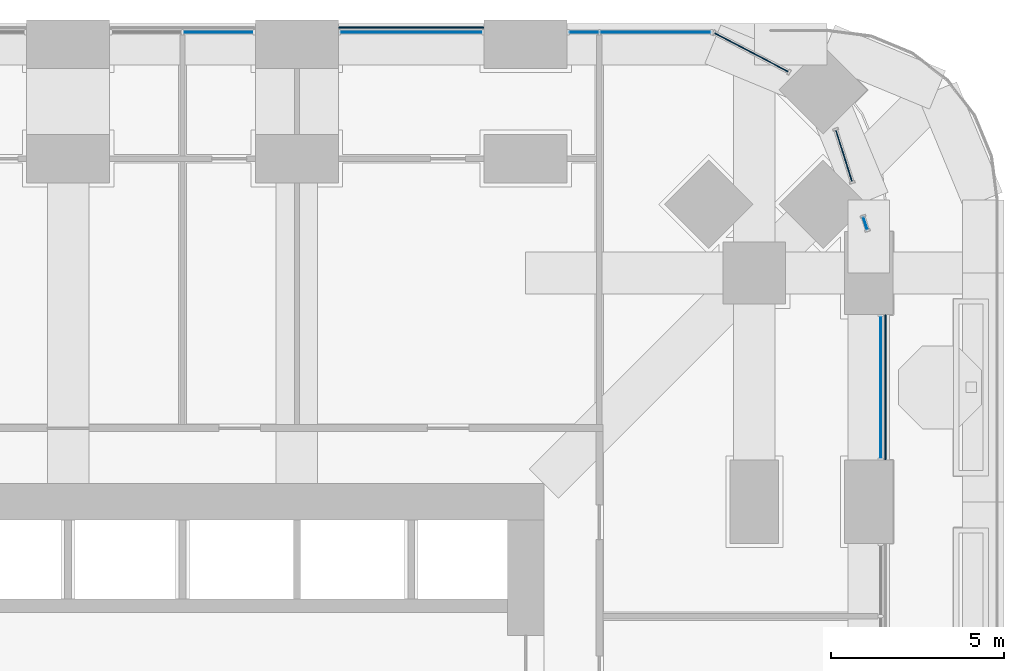
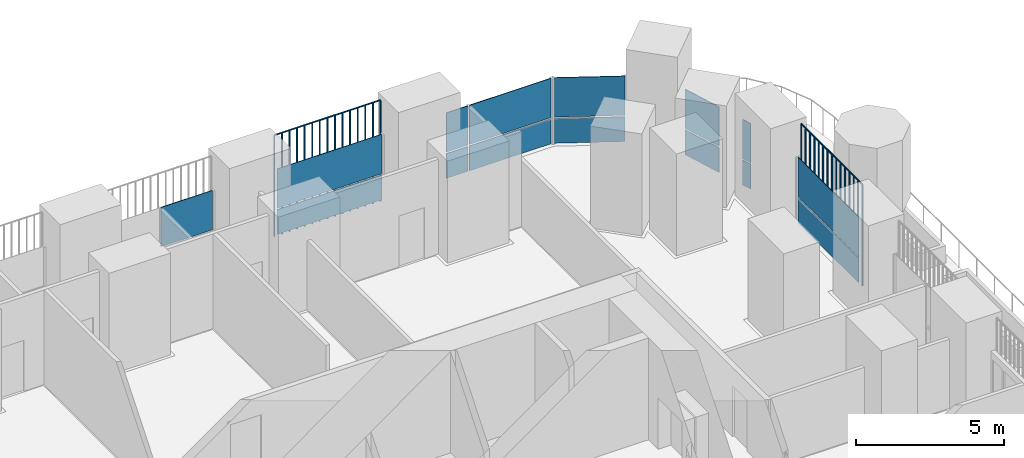
# One storey, part 16 of 27: 17 plates, 7 elements without a shape of their own.
"""IFC4 building model written with IfcOpenShell, lengths in metres."""

from ifc_helpers import new_model, si_unit, direction, frame, origin, origin_2d, place, context, subcontext, project, spatial, polyline, rectangle, outline, extrude, material, layer, layer_set, type_object, element, aggregate, save


model = new_model("IFC4")

# Units and contexts
model_context = context("Model", 3, precision=1e-05, world=origin(), true_north=direction((0.0, 1.0)))
body_context = subcontext(model_context, "Body", "Model", "MODEL_VIEW")
ifc_project = project(units=[si_unit("LENGTHUNIT", "METRE"), si_unit("AREAUNIT", "SQUARE_METRE"), si_unit("VOLUMEUNIT", "CUBIC_METRE"), si_unit("PLANEANGLEUNIT", "RADIAN"), si_unit("MASSUNIT", "GRAM", prefix="KILO")], contexts=[model_context])

# Site, building, storey
site_placement = place(None, origin())
site = spatial("IfcSite", under=ifc_project, at=site_placement, CompositionType="ELEMENT")
building_placement = place(site_placement, origin())
building = spatial("IfcBuilding", under=site, at=building_placement, Name="Cobogo Forest Laboratory Tower", CompositionType="ELEMENT")
storey_placement = place(building_placement, frame((0.0, 0.0, 82.199951171875)))
storey = spatial("IfcBuildingStorey", under=building, at=storey_placement, Name="L18", CompositionType="ELEMENT", Elevation=82.199951171875)

# Curtain wall, plates
ifc_material_1 = material(Name="Aluminium curtain wall", Category="aluminium")
curtain_wall_type = type_object("IfcCurtainWallType", Name="CW-1 unitised curtain wall, clear glazing, laboratory floors zones A and B", PredefinedType="USERDEFINED", material=ifc_material_1)
curtain_wall_1_placement = place(storey_placement, origin())
curtain_wall_1 = element("IfcCurtainWall", 1, at=curtain_wall_1_placement, inside=storey, type_object=curtain_wall_type, Name="Curtain wall 14 L18", ObjectType="UNITISED CURTAIN WALL", PredefinedType="USERDEFINED")
ifc_material_2 = material(Name="Clear insulated glass", Category="glass")
ifc_layer = layer(ifc_material_2, 0.028076171875)
ifc_layer_set = layer_set([ifc_layer], Name="GP-1 clear insulated glass unit 28")
plate_type_1 = type_object("IfcPlateType", Name="GP-1 clear insulated glass unit 28", PredefinedType="CURTAIN_PANEL", material=ifc_layer_set)
plate_1_placement = place(storey_placement, frame((49.85009765625, 36.300048828125, 0.0), z_axis=(0.0, 0.0, 1.0), x_axis=(0.0, 1.0, 0.0)))
plate_1 = element("IfcPlate", 2, at=plate_1_placement, type_object=plate_type_1, Name="CW-1 panel 1.1", PredefinedType="CURTAIN_PANEL", context=body_context, shape_type="SweptSolid", body=[
    extrude(rectangle(XDim=4.080078125, YDim=0.028076171875, at=origin_2d()), origin(), (0.0, 0.0, 1.0), 1.02001953125),
])
plate_2_placement = place(storey_placement, frame((49.85009765625, 36.300048828125, 1.080078125), z_axis=(0.0, 0.0, 1.0), x_axis=(0.0, 1.0, 0.0)))
plate_2 = element("IfcPlate", 3, at=plate_2_placement, type_object=plate_type_1, Name="CW-1 panel 1.2", PredefinedType="CURTAIN_PANEL", context=body_context, shape_type="SweptSolid", body=[
    extrude(rectangle(XDim=4.080078125, YDim=0.028076171875, at=origin_2d()), origin(), (0.0, 0.0, 1.0), 1.6201171875),
])
aggregate(curtain_wall_1, [plate_1, plate_2])

curtain_wall_2_placement = place(storey_placement, origin())
curtain_wall_2 = element("IfcCurtainWall", 4, at=curtain_wall_2_placement, inside=storey, type_object=curtain_wall_type, Name="Curtain wall 15 L18", ObjectType="UNITISED CURTAIN WALL", PredefinedType="USERDEFINED")
plate_3_placement = place(storey_placement, frame((49.397216796875, 41.033447265625, 0.0), z_axis=(0.0, 0.0, 1.0), x_axis=(-0.301134593201, 0.953581646624, 0.0)))
plate_3 = element("IfcPlate", 5, at=plate_3_placement, type_object=plate_type_1, Name="CW-1 panel 1.1", PredefinedType="CURTAIN_PANEL", context=body_context, shape_type="SweptSolid", body=[
    extrude(rectangle(XDim=0.36962890625, YDim=0.028076171875, at=origin_2d()), origin(), (0.0, 0.0, 1.0), 1.02001953125),
])
plate_4_placement = place(storey_placement, frame((49.397216796875, 41.033447265625, 1.080078125), z_axis=(0.0, 0.0, 1.0), x_axis=(-0.301134593201, 0.953581646624, 0.0)))
plate_4 = element("IfcPlate", 6, at=plate_4_placement, type_object=plate_type_1, Name="CW-1 panel 1.2", PredefinedType="CURTAIN_PANEL", context=body_context, shape_type="SweptSolid", body=[
    extrude(rectangle(XDim=0.36962890625, YDim=0.028076171875, at=origin_2d()), origin(), (0.0, 0.0, 1.0), 1.6201171875),
])
aggregate(curtain_wall_2, [plate_3, plate_4])

curtain_wall_3_placement = place(storey_placement, origin())
curtain_wall_3 = element("IfcCurtainWall", 7, at=curtain_wall_3_placement, inside=storey, type_object=curtain_wall_type, Name="Curtain wall 16 L18", ObjectType="UNITISED CURTAIN WALL", PredefinedType="USERDEFINED")
plate_5_placement = place(storey_placement, frame((48.7822265625, 42.9814453125, 0.0), z_axis=(0.0, 0.0, 1.0), x_axis=(-0.301135106076, 0.953581484661, 0.0)))
plate_5 = element("IfcPlate", 8, at=plate_5_placement, type_object=plate_type_1, Name="CW-1 panel 1.1", PredefinedType="CURTAIN_PANEL", context=body_context, shape_type="SweptSolid", body=[
    extrude(rectangle(XDim=1.54443359375, YDim=0.028076171875, at=origin_2d()), origin(), (0.0, 0.0, 1.0), 1.02001953125),
])
plate_6_placement = place(storey_placement, frame((48.7822265625, 42.9814453125, 1.080078125), z_axis=(0.0, 0.0, 1.0), x_axis=(-0.301135106076, 0.953581484661, 0.0)))
plate_6 = element("IfcPlate", 9, at=plate_6_placement, type_object=plate_type_1, Name="CW-1 panel 1.2", PredefinedType="CURTAIN_PANEL", context=body_context, shape_type="SweptSolid", body=[
    extrude(rectangle(XDim=1.54443359375, YDim=0.028076171875, at=origin_2d()), origin(), (0.0, 0.0, 1.0), 1.6201171875),
])
aggregate(curtain_wall_3, [plate_5, plate_6])

curtain_wall_4_placement = place(storey_placement, origin())
curtain_wall_4 = element("IfcCurtainWall", 10, at=curtain_wall_4_placement, inside=storey, type_object=curtain_wall_type, Name="Curtain wall 17 L18", ObjectType="UNITISED CURTAIN WALL", PredefinedType="USERDEFINED")
plate_7_placement = place(storey_placement, frame((46.113037109375, 45.966552734375, 0.0), z_axis=(0.0, 0.0, 1.0), x_axis=(-0.885686598126, 0.4642835878, 0.0)))
plate_7 = element("IfcPlate", 11, at=plate_7_placement, type_object=plate_type_1, Name="CW-1 panel 1.1", PredefinedType="CURTAIN_PANEL", context=body_context, shape_type="SweptSolid", body=[
    extrude(rectangle(XDim=2.3935546875, YDim=0.028076171875, at=origin_2d()), origin(), (0.0, 0.0, 1.0), 1.02001953125),
])
plate_8_placement = place(storey_placement, frame((46.113037109375, 45.966552734375, 1.080078125), z_axis=(0.0, 0.0, 1.0), x_axis=(-0.885686598126, 0.4642835878, 0.0)))
plate_8 = element("IfcPlate", 12, at=plate_8_placement, type_object=plate_type_1, Name="CW-1 panel 1.2", PredefinedType="CURTAIN_PANEL", context=body_context, shape_type="SweptSolid", body=[
    extrude(rectangle(XDim=2.3935546875, YDim=0.028076171875, at=origin_2d()), origin(), (0.0, 0.0, 1.0), 1.6201171875),
])
aggregate(curtain_wall_4, [plate_7, plate_8])

curtain_wall_5_placement = place(storey_placement, origin())
curtain_wall_5 = element("IfcCurtainWall", 13, at=curtain_wall_5_placement, inside=storey, type_object=curtain_wall_type, Name="Curtain wall 18 L18", ObjectType="UNITISED CURTAIN WALL", PredefinedType="USERDEFINED")
plate_9_placement = place(storey_placement, frame((43.347412109375, 46.550048828125, 0.0), z_axis=(0.0, 0.0, 1.0), x_axis=(-1.0, 0.0, 0.0)))
plate_9 = element("IfcPlate", 14, at=plate_9_placement, type_object=plate_type_1, Name="CW-1 panel 1.1", PredefinedType="CURTAIN_PANEL", context=body_context, shape_type="SweptSolid", body=[
    extrude(rectangle(XDim=3.18505859375, YDim=0.028076171875, at=origin_2d()), origin(), (0.0, 0.0, 1.0), 1.02001953125),
])
plate_10_placement = place(storey_placement, frame((43.347412109375, 46.550048828125, 1.080078125), z_axis=(0.0, 0.0, 1.0), x_axis=(-1.0, 0.0, 0.0)))
plate_10 = element("IfcPlate", 15, at=plate_10_placement, type_object=plate_type_1, Name="CW-1 panel 1.2", PredefinedType="CURTAIN_PANEL", context=body_context, shape_type="SweptSolid", body=[
    extrude(rectangle(XDim=3.18505859375, YDim=0.028076171875, at=origin_2d()), origin(), (0.0, 0.0, 1.0), 1.6201171875),
])
plate_11_placement = place(storey_placement, frame((41.277587890625, 46.550048828125, 0.0), z_axis=(0.0, 0.0, 1.0), x_axis=(-1.0, 0.0, 0.0)))
plate_11 = element("IfcPlate", 16, at=plate_11_placement, type_object=plate_type_1, Name="CW-1 panel 2.1", PredefinedType="CURTAIN_PANEL", context=body_context, shape_type="SweptSolid", body=[
    extrude(rectangle(XDim=0.8349609375, YDim=0.028076171875, at=origin_2d()), origin(), (0.0, 0.0, 1.0), 1.02001953125),
])
plate_12_placement = place(storey_placement, frame((41.277587890625, 46.550048828125, 1.080078125), z_axis=(0.0, 0.0, 1.0), x_axis=(-1.0, 0.0, 0.0)))
plate_12 = element("IfcPlate", 17, at=plate_12_placement, type_object=plate_type_1, Name="CW-1 panel 2.2", PredefinedType="CURTAIN_PANEL", context=body_context, shape_type="SweptSolid", body=[
    extrude(rectangle(XDim=0.8349609375, YDim=0.028076171875, at=origin_2d()), origin(), (0.0, 0.0, 1.0), 1.6201171875),
])
aggregate(curtain_wall_5, [plate_9, plate_10, plate_11, plate_12])

curtain_wall_6_placement = place(storey_placement, origin())
curtain_wall_6 = element("IfcCurtainWall", 18, at=curtain_wall_6_placement, inside=storey, type_object=curtain_wall_type, Name="Curtain wall 19 L18", ObjectType="UNITISED CURTAIN WALL", PredefinedType="USERDEFINED")
plate_13_placement = place(storey_placement, frame((36.300048828125, 46.550048828125, 0.0), z_axis=(0.0, 0.0, 1.0), x_axis=(-1.0, 0.0, 0.0)))
plate_13 = element("IfcPlate", 19, at=plate_13_placement, type_object=plate_type_1, Name="CW-1 panel 1.1", PredefinedType="CURTAIN_PANEL", context=body_context, shape_type="SweptSolid", body=[
    extrude(rectangle(XDim=4.080078125, YDim=0.028076171875, at=origin_2d()), origin(), (0.0, 0.0, 1.0), 1.02001953125),
])
plate_14_placement = place(storey_placement, frame((36.300048828125, 46.550048828125, 1.080078125), z_axis=(0.0, 0.0, 1.0), x_axis=(-1.0, 0.0, 0.0)))
plate_14 = element("IfcPlate", 20, at=plate_14_placement, type_object=plate_type_1, Name="CW-1 panel 1.2", PredefinedType="CURTAIN_PANEL", context=body_context, shape_type="SweptSolid", body=[
    extrude(rectangle(XDim=4.080078125, YDim=0.028076171875, at=origin_2d()), origin(), (0.0, 0.0, 1.0), 1.6201171875),
])
aggregate(curtain_wall_6, [plate_13, plate_14])

# Curtain wall, plate
curtain_wall_7_placement = place(storey_placement, origin())
curtain_wall_7 = element("IfcCurtainWall", 21, at=curtain_wall_7_placement, inside=storey, type_object=curtain_wall_type, Name="Curtain wall 20 L18", ObjectType="UNITISED CURTAIN WALL", PredefinedType="USERDEFINED")
plate_15_placement = place(storey_placement, frame((30.735107421875, 46.550048828125, 1.080078125), z_axis=(0.0, 0.0, 1.0), x_axis=(-1.0, 0.0, 0.0)))
plate_15 = element("IfcPlate", 22, at=plate_15_placement, type_object=plate_type_1, Name="CW-1 panel 1.2", PredefinedType="CURTAIN_PANEL", context=body_context, shape_type="SweptSolid", body=[
    extrude(rectangle(XDim=2.010009765625, YDim=0.028076171875, at=origin_2d()), origin(), (0.0, 0.0, 1.0), 1.6201171875),
])
aggregate(curtain_wall_7, [plate_15])

# Plates
ifc_material_3 = material(Name="Terracotta", Category="masonry")
plate_type_2 = type_object("IfcPlateType", Name="TB1 terracotta baguette screen", PredefinedType="USERDEFINED", material=ifc_material_3)
plate_16_placement = place(storey_placement, frame((49.977783203125, 34.231201171875, -0.14990234375)))
element("IfcPlate", 23, at=plate_16_placement, inside=storey, type_object=plate_type_2, Name="Baguette screen E5 L18", ObjectType="BAGUETTE SCREEN", PredefinedType="USERDEFINED", context=body_context, shape_type="SweptSolid", body=[
    extrude(outline(polyline([(0.02880859375, 0.011962890625), (0.011962890625, 0.02880859375), (-0.011962890625, 0.02880859375), (-0.02880859375, 0.011962890625), (-0.02880859375, -0.011962890625), (-0.011962890625, -0.02880859375), (0.011962890625, -0.02880859375), (0.02880859375, -0.011962890625), (0.02880859375, 0.011962890625)])), frame((0.0, 0.0, 4.168701171875), z_axis=(0.0, 1.0, 0.0), x_axis=(-1.0, 0.0, 0.0)), (0.0, 0.0, 1.0), 4.137451171875),
    extrude(outline(polyline([(0.02880859375, 0.011962890625), (0.011962890625, 0.02880859375), (-0.011962890625, 0.02880859375), (-0.02880859375, 0.011962890625), (-0.02880859375, -0.011962890625), (-0.011962890625, -0.02880859375), (0.011962890625, -0.02880859375), (0.02880859375, -0.011962890625), (0.02880859375, 0.011962890625)])), origin(), (0.0, 0.0, 1.0), 4.137451171875),
    extrude(outline(polyline([(0.02880859375, 0.011962890625), (0.011962890625, 0.02880859375), (-0.011962890625, 0.02880859375), (-0.02880859375, 0.011962890625), (-0.02880859375, -0.011962890625), (-0.011962890625, -0.02880859375), (0.011962890625, -0.02880859375), (0.02880859375, -0.011962890625), (0.02880859375, 0.011962890625)])), frame((0.0, 0.29541015625, 0.0)), (0.0, 0.0, 1.0), 4.137451171875),
    extrude(outline(polyline([(0.02880859375, 0.011962890625), (0.011962890625, 0.02880859375), (-0.011962890625, 0.02880859375), (-0.02880859375, 0.011962890625), (-0.02880859375, -0.011962890625), (-0.011962890625, -0.02880859375), (0.011962890625, -0.02880859375), (0.02880859375, -0.011962890625), (0.02880859375, 0.011962890625)])), frame((0.0, 0.591064453125, 0.0)), (0.0, 0.0, 1.0), 4.137451171875),
    extrude(outline(polyline([(0.02880859375, 0.011962890625), (0.011962890625, 0.02880859375), (-0.011962890625, 0.02880859375), (-0.02880859375, 0.011962890625), (-0.02880859375, -0.011962890625), (-0.011962890625, -0.02880859375), (0.011962890625, -0.02880859375), (0.02880859375, -0.011962890625), (0.02880859375, 0.011962890625)])), frame((0.0, 0.88671875, 0.0)), (0.0, 0.0, 1.0), 4.137451171875),
    extrude(outline(polyline([(0.02880859375, 0.011962890625), (0.011962890625, 0.02880859375), (-0.011962890625, 0.02880859375), (-0.02880859375, 0.011962890625), (-0.02880859375, -0.011962890625), (-0.011962890625, -0.02880859375), (0.011962890625, -0.02880859375), (0.02880859375, -0.011962890625), (0.02880859375, 0.011962890625)])), frame((0.0, 1.18212890625, 0.0)), (0.0, 0.0, 1.0), 4.137451171875),
    extrude(outline(polyline([(0.02880859375, 0.011962890625), (0.011962890625, 0.02880859375), (-0.011962890625, 0.02880859375), (-0.02880859375, 0.011962890625), (-0.02880859375, -0.011962890625), (-0.011962890625, -0.02880859375), (0.011962890625, -0.02880859375), (0.02880859375, -0.011962890625), (0.02880859375, 0.011962890625)])), frame((0.0, 1.4775390625, 0.0)), (0.0, 0.0, 1.0), 4.137451171875),
    extrude(outline(polyline([(0.02880859375, 0.011962890625), (0.011962890625, 0.02880859375), (-0.011962890625, 0.02880859375), (-0.02880859375, 0.011962890625), (-0.02880859375, -0.011962890625), (-0.011962890625, -0.02880859375), (0.011962890625, -0.02880859375), (0.02880859375, -0.011962890625), (0.02880859375, 0.011962890625)])), frame((0.0, 1.773193359375, 0.0)), (0.0, 0.0, 1.0), 4.137451171875),
    extrude(outline(polyline([(0.02880859375, 0.011962890625), (0.011962890625, 0.02880859375), (-0.011962890625, 0.02880859375), (-0.02880859375, 0.011962890625), (-0.02880859375, -0.011962890625), (-0.011962890625, -0.02880859375), (0.011962890625, -0.02880859375), (0.02880859375, -0.011962890625), (0.02880859375, 0.011962890625)])), frame((0.0, 2.06884765625, 0.0)), (0.0, 0.0, 1.0), 4.137451171875),
    extrude(outline(polyline([(0.02880859375, 0.011962890625), (0.011962890625, 0.02880859375), (-0.011962890625, 0.02880859375), (-0.02880859375, 0.011962890625), (-0.02880859375, -0.011962890625), (-0.011962890625, -0.02880859375), (0.011962890625, -0.02880859375), (0.02880859375, -0.011962890625), (0.02880859375, 0.011962890625)])), frame((0.0, 2.3642578125, 0.0)), (0.0, 0.0, 1.0), 4.137451171875),
    extrude(outline(polyline([(0.02880859375, 0.011962890625), (0.011962890625, 0.02880859375), (-0.011962890625, 0.02880859375), (-0.02880859375, 0.011962890625), (-0.02880859375, -0.011962890625), (-0.011962890625, -0.02880859375), (0.011962890625, -0.02880859375), (0.02880859375, -0.011962890625), (0.02880859375, 0.011962890625)])), frame((0.0, 2.65966796875, 0.0)), (0.0, 0.0, 1.0), 4.137451171875),
    extrude(outline(polyline([(0.02880859375, 0.011962890625), (0.011962890625, 0.02880859375), (-0.011962890625, 0.02880859375), (-0.02880859375, 0.011962890625), (-0.02880859375, -0.011962890625), (-0.011962890625, -0.02880859375), (0.011962890625, -0.02880859375), (0.02880859375, -0.011962890625), (0.02880859375, 0.011962890625)])), frame((0.0, 2.955322265625, 0.0)), (0.0, 0.0, 1.0), 4.137451171875),
    extrude(outline(polyline([(0.02880859375, 0.011962890625), (0.011962890625, 0.02880859375), (-0.011962890625, 0.02880859375), (-0.02880859375, 0.011962890625), (-0.02880859375, -0.011962890625), (-0.011962890625, -0.02880859375), (0.011962890625, -0.02880859375), (0.02880859375, -0.011962890625), (0.02880859375, 0.011962890625)])), frame((0.0, 3.2509765625, 0.0)), (0.0, 0.0, 1.0), 4.137451171875),
    extrude(outline(polyline([(0.02880859375, 0.011962890625), (0.011962890625, 0.02880859375), (-0.011962890625, 0.02880859375), (-0.02880859375, 0.011962890625), (-0.02880859375, -0.011962890625), (-0.011962890625, -0.02880859375), (0.011962890625, -0.02880859375), (0.02880859375, -0.011962890625), (0.02880859375, 0.011962890625)])), frame((0.0, 3.54638671875, 0.0)), (0.0, 0.0, 1.0), 4.137451171875),
    extrude(outline(polyline([(0.02880859375, 0.011962890625), (0.011962890625, 0.02880859375), (-0.011962890625, 0.02880859375), (-0.02880859375, 0.011962890625), (-0.02880859375, -0.011962890625), (-0.011962890625, -0.02880859375), (0.011962890625, -0.02880859375), (0.02880859375, -0.011962890625), (0.02880859375, 0.011962890625)])), frame((0.0, 3.841796875, 0.0)), (0.0, 0.0, 1.0), 4.137451171875),
    extrude(outline(polyline([(0.02880859375, 0.011962890625), (0.011962890625, 0.02880859375), (-0.011962890625, 0.02880859375), (-0.02880859375, 0.011962890625), (-0.02880859375, -0.011962890625), (-0.011962890625, -0.02880859375), (0.011962890625, -0.02880859375), (0.02880859375, -0.011962890625), (0.02880859375, 0.011962890625)])), frame((0.0, 4.137451171875, 0.0)), (0.0, 0.0, 1.0), 4.137451171875),
])
plate_17_placement = place(storey_placement, frame((34.231201171875, 46.677978515625, -0.14990234375)))
element("IfcPlate", 24, at=plate_17_placement, inside=storey, type_object=plate_type_2, Name="Baguette screen N4 L18", ObjectType="BAGUETTE SCREEN", PredefinedType="USERDEFINED", context=body_context, shape_type="SweptSolid", body=[
    extrude(outline(polyline([(0.02880859375, 0.011962890625), (0.011962890625, 0.02880859375), (-0.011962890625, 0.02880859375), (-0.02880859375, 0.011962890625), (-0.02880859375, -0.011962890625), (-0.011962890625, -0.02880859375), (0.011962890625, -0.02880859375), (0.02880859375, -0.011962890625), (0.02880859375, 0.011962890625)])), frame((0.0, 0.0, 4.168701171875), z_axis=(1.0, 0.0, 0.0), x_axis=(0.0, 1.0, 0.0)), (0.0, 0.0, 1.0), 4.137451171875),
    extrude(outline(polyline([(0.02880859375, 0.011962890625), (0.011962890625, 0.02880859375), (-0.011962890625, 0.02880859375), (-0.02880859375, 0.011962890625), (-0.02880859375, -0.011962890625), (-0.011962890625, -0.02880859375), (0.011962890625, -0.02880859375), (0.02880859375, -0.011962890625), (0.02880859375, 0.011962890625)])), origin(), (0.0, 0.0, 1.0), 4.137451171875),
    extrude(outline(polyline([(0.02880859375, 0.011962890625), (0.011962890625, 0.02880859375), (-0.011962890625, 0.02880859375), (-0.02880859375, 0.011962890625), (-0.02880859375, -0.011962890625), (-0.011962890625, -0.02880859375), (0.011962890625, -0.02880859375), (0.02880859375, -0.011962890625), (0.02880859375, 0.011962890625)])), frame((0.29541015625, 0.0, 0.0)), (0.0, 0.0, 1.0), 4.137451171875),
    extrude(outline(polyline([(0.02880859375, 0.011962890625), (0.011962890625, 0.02880859375), (-0.011962890625, 0.02880859375), (-0.02880859375, 0.011962890625), (-0.02880859375, -0.011962890625), (-0.011962890625, -0.02880859375), (0.011962890625, -0.02880859375), (0.02880859375, -0.011962890625), (0.02880859375, 0.011962890625)])), frame((0.591064453125, 0.0, 0.0)), (0.0, 0.0, 1.0), 4.137451171875),
    extrude(outline(polyline([(0.02880859375, 0.011962890625), (0.011962890625, 0.02880859375), (-0.011962890625, 0.02880859375), (-0.02880859375, 0.011962890625), (-0.02880859375, -0.011962890625), (-0.011962890625, -0.02880859375), (0.011962890625, -0.02880859375), (0.02880859375, -0.011962890625), (0.02880859375, 0.011962890625)])), frame((0.88671875, 0.0, 0.0)), (0.0, 0.0, 1.0), 4.137451171875),
    extrude(outline(polyline([(0.02880859375, 0.011962890625), (0.011962890625, 0.02880859375), (-0.011962890625, 0.02880859375), (-0.02880859375, 0.011962890625), (-0.02880859375, -0.011962890625), (-0.011962890625, -0.02880859375), (0.011962890625, -0.02880859375), (0.02880859375, -0.011962890625), (0.02880859375, 0.011962890625)])), frame((1.18212890625, 0.0, 0.0)), (0.0, 0.0, 1.0), 4.137451171875),
    extrude(outline(polyline([(0.02880859375, 0.011962890625), (0.011962890625, 0.02880859375), (-0.011962890625, 0.02880859375), (-0.02880859375, 0.011962890625), (-0.02880859375, -0.011962890625), (-0.011962890625, -0.02880859375), (0.011962890625, -0.02880859375), (0.02880859375, -0.011962890625), (0.02880859375, 0.011962890625)])), frame((1.4775390625, 0.0, 0.0)), (0.0, 0.0, 1.0), 4.137451171875),
    extrude(outline(polyline([(0.02880859375, 0.011962890625), (0.011962890625, 0.02880859375), (-0.011962890625, 0.02880859375), (-0.02880859375, 0.011962890625), (-0.02880859375, -0.011962890625), (-0.011962890625, -0.02880859375), (0.011962890625, -0.02880859375), (0.02880859375, -0.011962890625), (0.02880859375, 0.011962890625)])), frame((1.773193359375, 0.0, 0.0)), (0.0, 0.0, 1.0), 4.137451171875),
    extrude(outline(polyline([(0.02880859375, 0.011962890625), (0.011962890625, 0.02880859375), (-0.011962890625, 0.02880859375), (-0.02880859375, 0.011962890625), (-0.02880859375, -0.011962890625), (-0.011962890625, -0.02880859375), (0.011962890625, -0.02880859375), (0.02880859375, -0.011962890625), (0.02880859375, 0.011962890625)])), frame((2.06884765625, 0.0, 0.0)), (0.0, 0.0, 1.0), 4.137451171875),
    extrude(outline(polyline([(0.02880859375, 0.011962890625), (0.011962890625, 0.02880859375), (-0.011962890625, 0.02880859375), (-0.02880859375, 0.011962890625), (-0.02880859375, -0.011962890625), (-0.011962890625, -0.02880859375), (0.011962890625, -0.02880859375), (0.02880859375, -0.011962890625), (0.02880859375, 0.011962890625)])), frame((2.3642578125, 0.0, 0.0)), (0.0, 0.0, 1.0), 4.137451171875),
    extrude(outline(polyline([(0.02880859375, 0.011962890625), (0.011962890625, 0.02880859375), (-0.011962890625, 0.02880859375), (-0.02880859375, 0.011962890625), (-0.02880859375, -0.011962890625), (-0.011962890625, -0.02880859375), (0.011962890625, -0.02880859375), (0.02880859375, -0.011962890625), (0.02880859375, 0.011962890625)])), frame((2.65966796875, 0.0, 0.0)), (0.0, 0.0, 1.0), 4.137451171875),
    extrude(outline(polyline([(0.02880859375, 0.011962890625), (0.011962890625, 0.02880859375), (-0.011962890625, 0.02880859375), (-0.02880859375, 0.011962890625), (-0.02880859375, -0.011962890625), (-0.011962890625, -0.02880859375), (0.011962890625, -0.02880859375), (0.02880859375, -0.011962890625), (0.02880859375, 0.011962890625)])), frame((2.955322265625, 0.0, 0.0)), (0.0, 0.0, 1.0), 4.137451171875),
    extrude(outline(polyline([(0.02880859375, 0.011962890625), (0.011962890625, 0.02880859375), (-0.011962890625, 0.02880859375), (-0.02880859375, 0.011962890625), (-0.02880859375, -0.011962890625), (-0.011962890625, -0.02880859375), (0.011962890625, -0.02880859375), (0.02880859375, -0.011962890625), (0.02880859375, 0.011962890625)])), frame((3.2509765625, 0.0, 0.0)), (0.0, 0.0, 1.0), 4.137451171875),
    extrude(outline(polyline([(0.02880859375, 0.011962890625), (0.011962890625, 0.02880859375), (-0.011962890625, 0.02880859375), (-0.02880859375, 0.011962890625), (-0.02880859375, -0.011962890625), (-0.011962890625, -0.02880859375), (0.011962890625, -0.02880859375), (0.02880859375, -0.011962890625), (0.02880859375, 0.011962890625)])), frame((3.54638671875, 0.0, 0.0)), (0.0, 0.0, 1.0), 4.137451171875),
    extrude(outline(polyline([(0.02880859375, 0.011962890625), (0.011962890625, 0.02880859375), (-0.011962890625, 0.02880859375), (-0.02880859375, 0.011962890625), (-0.02880859375, -0.011962890625), (-0.011962890625, -0.02880859375), (0.011962890625, -0.02880859375), (0.02880859375, -0.011962890625), (0.02880859375, 0.011962890625)])), frame((3.841796875, 0.0, 0.0)), (0.0, 0.0, 1.0), 4.137451171875),
    extrude(outline(polyline([(0.02880859375, 0.011962890625), (0.011962890625, 0.02880859375), (-0.011962890625, 0.02880859375), (-0.02880859375, 0.011962890625), (-0.02880859375, -0.011962890625), (-0.011962890625, -0.02880859375), (0.011962890625, -0.02880859375), (0.02880859375, -0.011962890625), (0.02880859375, 0.011962890625)])), frame((4.137451171875, 0.0, 0.0)), (0.0, 0.0, 1.0), 4.137451171875),
])

save(model, "model.ifc")
